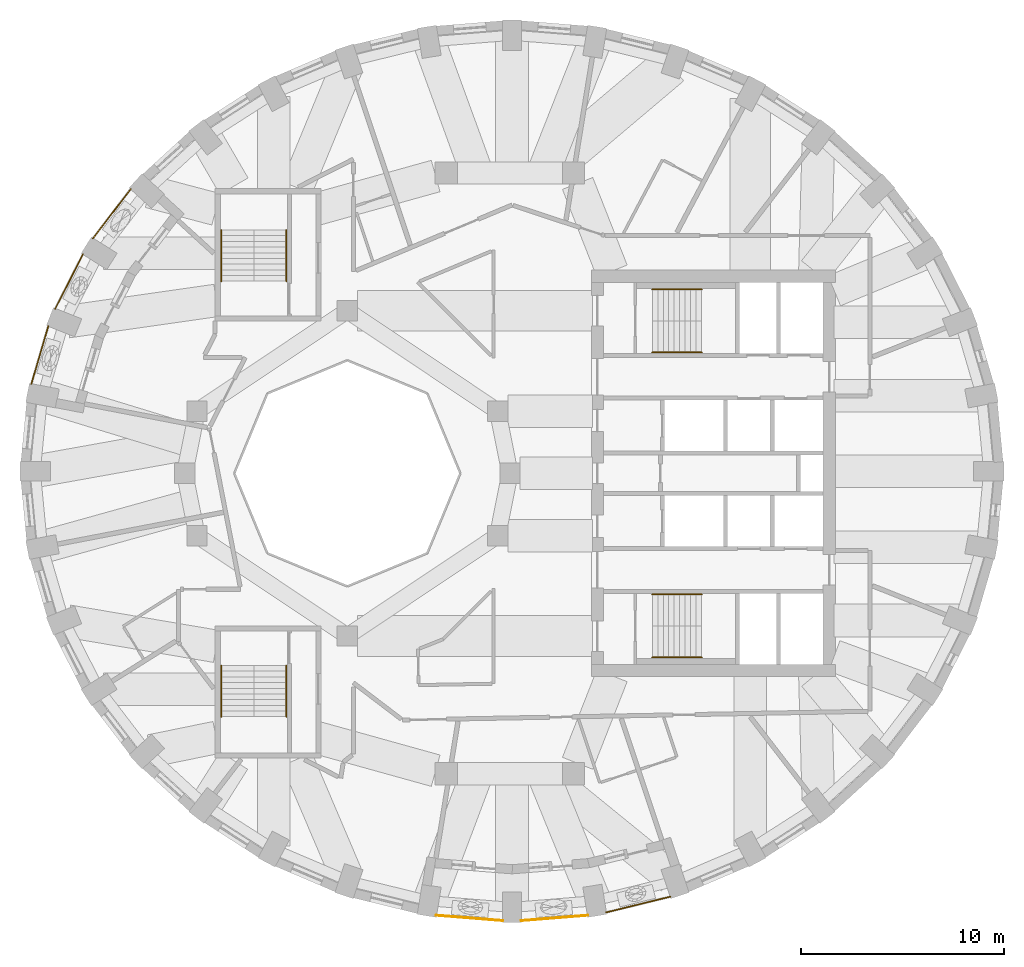
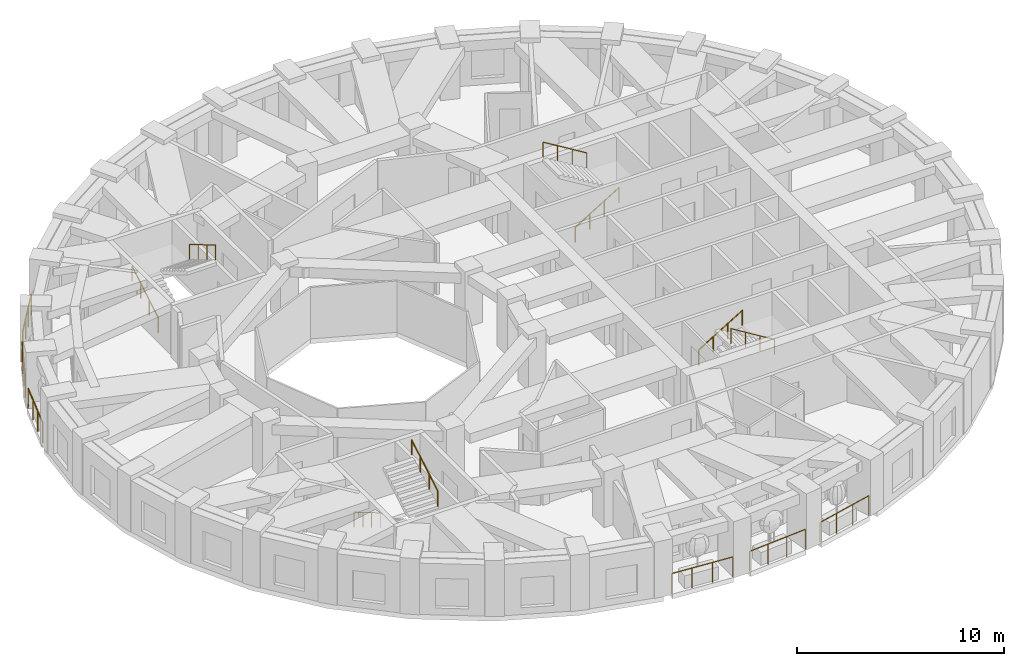
# One storey, part 9 of 11: 14 railings.
"""IFC4 building model written with IfcOpenShell, lengths in metres."""

from ifc_helpers import new_model, si_unit, direction, frame, origin, origin_2d, place, context, subcontext, project, spatial, circle, extrude, material, type_object, element, save


model = new_model("IFC4")

# Units and contexts
model_context = context("Model", 3, precision=1e-05, world=origin(), true_north=direction((0.0, 1.0)))
body_context = subcontext(model_context, "Body", "Model", "MODEL_VIEW")
ifc_project = project(units=[si_unit("LENGTHUNIT", "METRE"), si_unit("AREAUNIT", "SQUARE_METRE"), si_unit("VOLUMEUNIT", "CUBIC_METRE"), si_unit("PLANEANGLEUNIT", "RADIAN"), si_unit("MASSUNIT", "GRAM", prefix="KILO")], contexts=[model_context])

# Site, building, storey
site_placement = place(None, origin())
site = spatial("IfcSite", under=ifc_project, at=site_placement, CompositionType="ELEMENT")
building_placement = place(site_placement, origin())
building = spatial("IfcBuilding", under=site, at=building_placement, Name="Taillehof Tower", CompositionType="ELEMENT")
storey_placement = place(building_placement, frame((0.0, 0.0, 161.60009765625)))
storey = spatial("IfcBuildingStorey", under=building, at=storey_placement, Name="L45", CompositionType="ELEMENT", Elevation=161.60009765625)

# Railings
ifc_material_1 = material(Name="Stainless steel balustrade", Category="steel")
railing_type_1 = type_object("IfcRailingType", Name="Balcony guard 1200", PredefinedType="GUARDRAIL", material=ifc_material_1)
railing_1_placement = place(storey_placement, frame((-3.627197265625, -21.741455078125, 0.0)))
element("IfcRailing", 1, at=railing_1_placement, inside=storey, type_object=railing_type_1, Name="Balcony guard L45 bay 27", PredefinedType="GUARDRAIL", context=body_context, shape_type="SweptSolid", body=[
    extrude(circle(Radius=0.02392578125, at=origin_2d()), frame((0.0, 0.0, 1.17578125), z_axis=(0.996810783879, -0.079801385593, 0.0), x_axis=(0.079801385593, 0.996810783879, 0.0)), (0.0, 0.0, 1.0), 3.28271484375),
    extrude(circle(Radius=0.02099609375, at=origin_2d()), origin(), (0.0, 0.0, 1.0), 1.15185546875),
    extrude(circle(Radius=0.02099609375, at=origin_2d()), frame((1.0908203125, -0.08740234375, 0.0)), (0.0, 0.0, 1.0), 1.15185546875),
    extrude(circle(Radius=0.02099609375, at=origin_2d()), frame((2.181396484375, -0.174560546875, 0.0)), (0.0, 0.0, 1.0), 1.15185546875),
    extrude(circle(Radius=0.02099609375, at=origin_2d()), frame((3.272216796875, -0.261962890625, 0.0)), (0.0, 0.0, 1.0), 1.15185546875),
])
railing_2_placement = place(storey_placement, frame((0.55517578125, -22.00341796875, 0.0)))
element("IfcRailing", 2, at=railing_2_placement, inside=storey, type_object=railing_type_1, Name="Balcony guard L45 bay 28", PredefinedType="GUARDRAIL", context=body_context, shape_type="SweptSolid", body=[
    extrude(circle(Radius=0.02392578125, at=origin_2d()), frame((0.0, 0.0, 1.17578125), z_axis=(0.996810310205, 0.079807302108, 0.0), x_axis=(-0.079807302108, 0.996810310205, 0.0)), (0.0, 0.0, 1.0), 3.282470703125),
    extrude(circle(Radius=0.02099609375, at=origin_2d()), origin(), (0.0, 0.0, 1.0), 1.15185546875),
    extrude(circle(Radius=0.02099609375, at=origin_2d()), frame((1.090576171875, 0.08740234375, 0.0)), (0.0, 0.0, 1.0), 1.15185546875),
    extrude(circle(Radius=0.02099609375, at=origin_2d()), frame((2.181396484375, 0.174560546875, 0.0)), (0.0, 0.0, 1.0), 1.15185546875),
    extrude(circle(Radius=0.02099609375, at=origin_2d()), frame((3.27197265625, 0.261962890625, 0.0)), (0.0, 0.0, 1.0), 1.15185546875),
])
railing_3_placement = place(storey_placement, frame((4.7255859375, -21.596435546875, 0.0)))
element("IfcRailing", 3, at=railing_3_placement, inside=storey, type_object=railing_type_1, Name="Balcony guard L45 bay 29", PredefinedType="GUARDRAIL", context=body_context, shape_type="SweptSolid", body=[
    extrude(circle(Radius=0.02392578125, at=origin_2d()), frame((0.0, 0.0, 1.17578125), z_axis=(0.971236963408, 0.238115016139, 0.0), x_axis=(-0.238115016139, 0.971236963408, 0.0)), (0.0, 0.0, 1.0), 3.263427734375),
    extrude(circle(Radius=0.02099609375, at=origin_2d()), origin(), (0.0, 0.0, 1.0), 1.15185546875),
    extrude(circle(Radius=0.02099609375, at=origin_2d()), frame((1.056640625, 0.259033203125, 0.0)), (0.0, 0.0, 1.0), 1.15185546875),
    extrude(circle(Radius=0.02099609375, at=origin_2d()), frame((2.113037109375, 0.51806640625, 0.0)), (0.0, 0.0, 1.0), 1.15185546875),
    extrude(circle(Radius=0.02099609375, at=origin_2d()), frame((3.169677734375, 0.777099609375, 0.0)), (0.0, 0.0, 1.0), 1.15185546875),
])
railing_4_placement = place(storey_placement, frame((-18.650390625, 13.990478515625, 0.0)))
element("IfcRailing", 4, at=railing_4_placement, inside=storey, type_object=railing_type_1, Name="Balcony guard L45 bay 15", PredefinedType="GUARDRAIL", context=body_context, shape_type="SweptSolid", body=[
    extrude(circle(Radius=0.02392578125, at=origin_2d()), frame((0.0, 0.0, 1.17578125), z_axis=(-0.607804631475, -0.794086601044, 0.0), x_axis=(0.794086601044, -0.607804631475, 0.0)), (0.0, 0.0, 1.0), 3.06689453125),
    extrude(circle(Radius=0.02099609375, at=origin_2d()), origin(), (0.0, 0.0, 1.0), 1.15185546875),
    extrude(circle(Radius=0.02099609375, at=origin_2d()), frame((-0.621337890625, -0.811767578125, 0.0)), (0.0, 0.0, 1.0), 1.15185546875),
    extrude(circle(Radius=0.02099609375, at=origin_2d()), frame((-1.24267578125, -1.62353515625, 0.0)), (0.0, 0.0, 1.0), 1.15185546875),
    extrude(circle(Radius=0.02099609375, at=origin_2d()), frame((-1.864013671875, -2.435302734375, 0.0)), (0.0, 0.0, 1.0), 1.15185546875),
])
railing_5_placement = place(storey_placement, frame((-20.99951171875, 10.785400390625, 0.0)))
element("IfcRailing", 5, at=railing_5_placement, inside=storey, type_object=railing_type_1, Name="Balcony guard L45 bay 16", PredefinedType="GUARDRAIL", context=body_context, shape_type="SweptSolid", body=[
    extrude(circle(Radius=0.02392578125, at=origin_2d()), frame((0.0, 0.0, 1.17578125), z_axis=(-0.454128245329, -0.890936325892, 0.0), x_axis=(0.890936325892, -0.454128245329, 0.0)), (0.0, 0.0, 1.0), 3.0166015625),
    extrude(circle(Radius=0.02099609375, at=origin_2d()), origin(), (0.0, 0.0, 1.0), 1.15185546875),
    extrude(circle(Radius=0.02099609375, at=origin_2d()), frame((-0.45654296875, -0.895751953125, 0.0)), (0.0, 0.0, 1.0), 1.15185546875),
    extrude(circle(Radius=0.02099609375, at=origin_2d()), frame((-0.913330078125, -1.791748046875, 0.0)), (0.0, 0.0, 1.0), 1.15185546875),
    extrude(circle(Radius=0.02099609375, at=origin_2d()), frame((-1.369873046875, -2.6875, 0.0)), (0.0, 0.0, 1.0), 1.15185546875),
])
railing_6_placement = place(storey_placement, frame((-22.705322265625, 7.252197265625, 0.0)))
element("IfcRailing", 6, at=railing_6_placement, inside=storey, type_object=railing_type_1, Name="Balcony guard L45 bay 17", PredefinedType="GUARDRAIL", context=body_context, shape_type="SweptSolid", body=[
    extrude(circle(Radius=0.02392578125, at=origin_2d()), frame((0.0, 0.0, 1.17578125), z_axis=(-0.28104789837, -0.959693742202, 0.0), x_axis=(0.959693742202, -0.28104789837, 0.0)), (0.0, 0.0, 1.0), 2.978759765625),
    extrude(circle(Radius=0.02099609375, at=origin_2d()), origin(), (0.0, 0.0, 1.0), 1.15185546875),
    extrude(circle(Radius=0.02099609375, at=origin_2d()), frame((-0.279052734375, -0.952880859375, 0.0)), (0.0, 0.0, 1.0), 1.15185546875),
    extrude(circle(Radius=0.02099609375, at=origin_2d()), frame((-0.55810546875, -1.90576171875, 0.0)), (0.0, 0.0, 1.0), 1.15185546875),
    extrude(circle(Radius=0.02099609375, at=origin_2d()), frame((-0.837158203125, -2.858642578125, 0.0)), (0.0, 0.0, 1.0), 1.15185546875),
])
ifc_material_2 = material(Name="Stainless steel", Category="steel")
railing_type_2 = type_object("IfcRailingType", Name="Stair handrail 900", PredefinedType="HANDRAIL", material=ifc_material_2)
railing_7_placement = place(storey_placement, frame((7.0, 5.949951171875, 0.164794921875)))
element("IfcRailing", 7, at=railing_7_placement, inside=storey, type_object=railing_type_2, Name="Stair S1 handrail", PredefinedType="HANDRAIL", context=body_context, shape_type="SweptSolid", body=[
    extrude(circle(Radius=0.02392578125, at=origin_2d()), frame((0.0, 0.0, 0.8759765625), z_axis=(0.853258522278, 0.0, 0.521488153423), x_axis=(0.0, 1.0, 0.0)), (0.0, 0.0, 1.0), 2.847900390625),
    extrude(circle(Radius=0.02099609375, at=origin_2d()), origin(), (0.0, 0.0, 1.0), 0.851806640625),
    extrude(circle(Radius=0.02099609375, at=origin_2d()), frame((0.81005859375, 0.0, 0.4951171875)), (0.0, 0.0, 1.0), 0.851806640625),
    extrude(circle(Radius=0.02099609375, at=origin_2d()), frame((1.619873046875, 0.0, 0.989990234375)), (0.0, 0.0, 1.0), 0.851806640625),
    extrude(circle(Radius=0.02099609375, at=origin_2d()), frame((2.429931640625, 0.0, 1.485107421875)), (0.0, 0.0, 1.0), 0.851806640625),
])
railing_8_placement = place(storey_placement, frame((9.429931640625, 9.050048828125, 1.81494140625)))
element("IfcRailing", 8, at=railing_8_placement, inside=storey, type_object=railing_type_2, Name="Stair S1 handrail", PredefinedType="HANDRAIL", context=body_context, shape_type="SweptSolid", body=[
    extrude(circle(Radius=0.02392578125, at=origin_2d()), frame((0.0, 0.0, 0.8759765625), z_axis=(-0.853296667938, 0.0, 0.521425734392), x_axis=(0.0, -1.0, 0.0)), (0.0, 0.0, 1.0), 2.84765625),
    extrude(circle(Radius=0.02099609375, at=origin_2d()), origin(), (0.0, 0.0, 1.0), 0.851806640625),
    extrude(circle(Radius=0.02099609375, at=origin_2d()), frame((-0.81005859375, 0.0, 0.494873046875)), (0.0, 0.0, 1.0), 0.851806640625),
    extrude(circle(Radius=0.02099609375, at=origin_2d()), frame((-1.619873046875, 0.0, 0.989990234375)), (0.0, 0.0, 1.0), 0.851806640625),
    extrude(circle(Radius=0.02099609375, at=origin_2d()), frame((-2.429931640625, 0.0, 1.48486328125)), (0.0, 0.0, 1.0), 0.851806640625),
])
railing_9_placement = place(storey_placement, frame((7.0, -5.949951171875, 0.164794921875)))
element("IfcRailing", 9, at=railing_9_placement, inside=storey, type_object=railing_type_2, Name="Stair S2 handrail", PredefinedType="HANDRAIL", context=body_context, shape_type="SweptSolid", body=[
    extrude(circle(Radius=0.02392578125, at=origin_2d()), frame((0.0, 0.0, 0.8759765625), z_axis=(0.853258522278, 0.0, 0.521488153423), x_axis=(0.0, 1.0, 0.0)), (0.0, 0.0, 1.0), 2.847900390625),
    extrude(circle(Radius=0.02099609375, at=origin_2d()), origin(), (0.0, 0.0, 1.0), 0.851806640625),
    extrude(circle(Radius=0.02099609375, at=origin_2d()), frame((0.81005859375, 0.0, 0.4951171875)), (0.0, 0.0, 1.0), 0.851806640625),
    extrude(circle(Radius=0.02099609375, at=origin_2d()), frame((1.619873046875, 0.0, 0.989990234375)), (0.0, 0.0, 1.0), 0.851806640625),
    extrude(circle(Radius=0.02099609375, at=origin_2d()), frame((2.429931640625, 0.0, 1.485107421875)), (0.0, 0.0, 1.0), 0.851806640625),
])
railing_10_placement = place(storey_placement, frame((9.429931640625, -9.050048828125, 1.81494140625)))
element("IfcRailing", 10, at=railing_10_placement, inside=storey, type_object=railing_type_2, Name="Stair S2 handrail", PredefinedType="HANDRAIL", context=body_context, shape_type="SweptSolid", body=[
    extrude(circle(Radius=0.02392578125, at=origin_2d()), frame((0.0, 0.0, 0.8759765625), z_axis=(-0.853296667938, 0.0, 0.521425734392), x_axis=(0.0, -1.0, 0.0)), (0.0, 0.0, 1.0), 2.84765625),
    extrude(circle(Radius=0.02099609375, at=origin_2d()), origin(), (0.0, 0.0, 1.0), 0.851806640625),
    extrude(circle(Radius=0.02099609375, at=origin_2d()), frame((-0.81005859375, 0.0, 0.494873046875)), (0.0, 0.0, 1.0), 0.851806640625),
    extrude(circle(Radius=0.02099609375, at=origin_2d()), frame((-1.619873046875, 0.0, 0.989990234375)), (0.0, 0.0, 1.0), 0.851806640625),
    extrude(circle(Radius=0.02099609375, at=origin_2d()), frame((-2.429931640625, 0.0, 1.48486328125)), (0.0, 0.0, 1.0), 0.851806640625),
])
railing_11_placement = place(storey_placement, frame((-14.199951171875, 9.449951171875, 0.164794921875)))
element("IfcRailing", 11, at=railing_11_placement, inside=storey, type_object=railing_type_2, Name="Stair S3 handrail", PredefinedType="HANDRAIL", context=body_context, shape_type="SweptSolid", body=[
    extrude(circle(Radius=0.02392578125, at=origin_2d()), frame((0.0, 0.0, 0.8759765625), z_axis=(0.0, 0.86152411907, 0.507716645641), x_axis=(-1.0, 0.0, 0.0)), (0.0, 0.0, 1.0), 2.925048828125),
    extrude(circle(Radius=0.02099609375, at=origin_2d()), origin(), (0.0, 0.0, 1.0), 0.851806640625),
    extrude(circle(Radius=0.02099609375, at=origin_2d()), frame((0.0, 0.840087890625, 0.4951171875)), (0.0, 0.0, 1.0), 0.851806640625),
    extrude(circle(Radius=0.02099609375, at=origin_2d()), frame((0.0, 1.679931640625, 0.989990234375)), (0.0, 0.0, 1.0), 0.851806640625),
    extrude(circle(Radius=0.02099609375, at=origin_2d()), frame((0.0, 2.52001953125, 1.485107421875)), (0.0, 0.0, 1.0), 0.851806640625),
])
railing_12_placement = place(storey_placement, frame((-11.0, 11.969970703125, 1.81494140625)))
element("IfcRailing", 12, at=railing_12_placement, inside=storey, type_object=railing_type_2, Name="Stair S3 handrail", PredefinedType="HANDRAIL", context=body_context, shape_type="SweptSolid", body=[
    extrude(circle(Radius=0.02392578125, at=origin_2d()), frame((0.0, 0.0, 0.8759765625), z_axis=(0.0, -0.861560626758, 0.507654692109), x_axis=(1.0, 0.0, 0.0)), (0.0, 0.0, 1.0), 2.925048828125),
    extrude(circle(Radius=0.02099609375, at=origin_2d()), origin(), (0.0, 0.0, 1.0), 0.851806640625),
    extrude(circle(Radius=0.02099609375, at=origin_2d()), frame((0.0, -0.840087890625, 0.494873046875)), (0.0, 0.0, 1.0), 0.851806640625),
    extrude(circle(Radius=0.02099609375, at=origin_2d()), frame((0.0, -1.679931640625, 0.989990234375)), (0.0, 0.0, 1.0), 0.851806640625),
    extrude(circle(Radius=0.02099609375, at=origin_2d()), frame((0.0, -2.52001953125, 1.48486328125)), (0.0, 0.0, 1.0), 0.851806640625),
])
railing_13_placement = place(storey_placement, frame((-14.199951171875, -9.449951171875, 0.164794921875)))
element("IfcRailing", 13, at=railing_13_placement, inside=storey, type_object=railing_type_2, Name="Stair S4 handrail", PredefinedType="HANDRAIL", context=body_context, shape_type="SweptSolid", body=[
    extrude(circle(Radius=0.02392578125, at=origin_2d()), frame((0.0, 0.0, 0.8759765625), z_axis=(0.0, -0.86152411907, 0.507716645641), x_axis=(1.0, 0.0, 0.0)), (0.0, 0.0, 1.0), 2.925048828125),
    extrude(circle(Radius=0.02099609375, at=origin_2d()), origin(), (0.0, 0.0, 1.0), 0.851806640625),
    extrude(circle(Radius=0.02099609375, at=origin_2d()), frame((0.0, -0.840087890625, 0.4951171875)), (0.0, 0.0, 1.0), 0.851806640625),
    extrude(circle(Radius=0.02099609375, at=origin_2d()), frame((0.0, -1.679931640625, 0.989990234375)), (0.0, 0.0, 1.0), 0.851806640625),
    extrude(circle(Radius=0.02099609375, at=origin_2d()), frame((0.0, -2.52001953125, 1.485107421875)), (0.0, 0.0, 1.0), 0.851806640625),
])
railing_14_placement = place(storey_placement, frame((-11.0, -11.969970703125, 1.81494140625)))
element("IfcRailing", 14, at=railing_14_placement, inside=storey, type_object=railing_type_2, Name="Stair S4 handrail", PredefinedType="HANDRAIL", context=body_context, shape_type="SweptSolid", body=[
    extrude(circle(Radius=0.02392578125, at=origin_2d()), frame((0.0, 0.0, 0.8759765625), z_axis=(0.0, 0.861560626758, 0.507654692109), x_axis=(-1.0, 0.0, 0.0)), (0.0, 0.0, 1.0), 2.925048828125),
    extrude(circle(Radius=0.02099609375, at=origin_2d()), origin(), (0.0, 0.0, 1.0), 0.851806640625),
    extrude(circle(Radius=0.02099609375, at=origin_2d()), frame((0.0, 0.840087890625, 0.494873046875)), (0.0, 0.0, 1.0), 0.851806640625),
    extrude(circle(Radius=0.02099609375, at=origin_2d()), frame((0.0, 1.679931640625, 0.989990234375)), (0.0, 0.0, 1.0), 0.851806640625),
    extrude(circle(Radius=0.02099609375, at=origin_2d()), frame((0.0, 2.52001953125, 1.48486328125)), (0.0, 0.0, 1.0), 0.851806640625),
])

save(model, "model.ifc")
